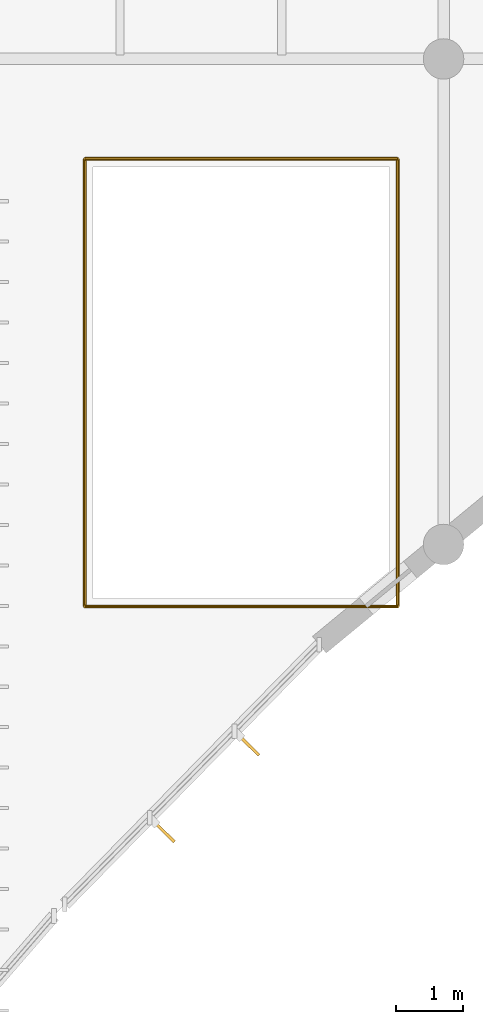
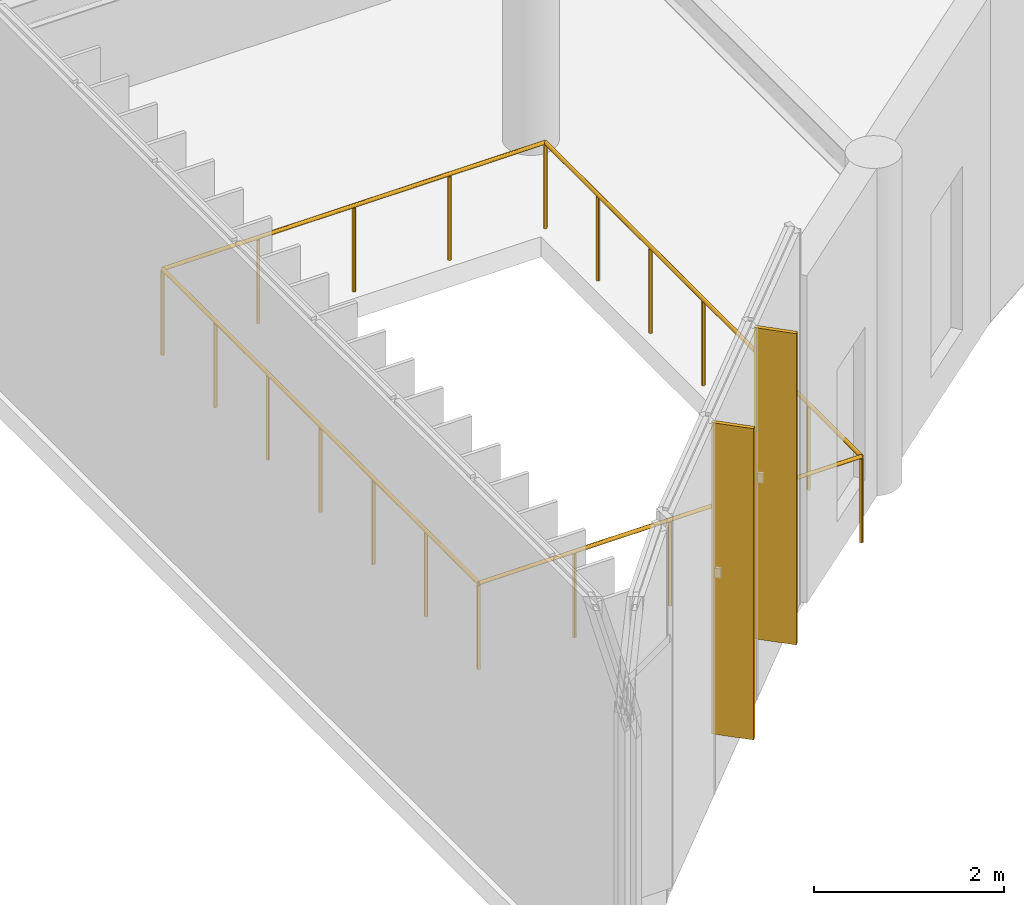
# One storey, part 90 of 104: 4 railings, 2 shading devices.
"""IFC4 building model written with IfcOpenShell, lengths in metres."""

from ifc_helpers import new_model, si_unit, direction, frame, origin, origin_2d, place, context, subcontext, project, spatial, rectangle, circle, extrude, material, layer, layer_set, material_profile, profile_set, type_object, element, save


model = new_model("IFC4")

# Units and contexts
model_context = context("Model", 3, precision=1e-05, world=origin(), true_north=direction((0.0, 1.0)))
body_context = subcontext(model_context, "Body", "Model", "MODEL_VIEW")
ifc_project = project(units=[si_unit("LENGTHUNIT", "METRE"), si_unit("AREAUNIT", "SQUARE_METRE"), si_unit("VOLUMEUNIT", "CUBIC_METRE"), si_unit("PLANEANGLEUNIT", "RADIAN"), si_unit("MASSUNIT", "GRAM", prefix="KILO")], contexts=[model_context])

# Site, building, storey
site_placement = place(None, origin())
site = spatial("IfcSite", under=ifc_project, at=site_placement, CompositionType="ELEMENT")
building_placement = place(site_placement, origin())
building = spatial("IfcBuilding", under=site, at=building_placement, Name="Tazoul Stagehouse", CompositionType="ELEMENT")
storey_placement = place(building_placement, frame((0.0, 0.0, 9.0)))
storey = spatial("IfcBuildingStorey", under=building, at=storey_placement, Name="L02", CompositionType="ELEMENT", Elevation=9.0)

# Shading device
ifc_material_1 = material(Name="Anodised Bronze Aluminium 6063-T6", Category="aluminium")
ifc_layer_1 = layer(ifc_material_1, 0.050048828125, Name="Anodised Bronze Aluminium 6063-T6")
ifc_layer_set_1 = layer_set([ifc_layer_1], Name="Anodised Bronze Aluminium 6063-T6")
shading_device_type_1 = type_object("IfcShadingDeviceType", Name="Angled Acoustic Sun-Screen Blade 460", PredefinedType="USERDEFINED", material=ifc_layer_set_1)
shading_device_1_placement = place(storey_placement, frame((39.0419921875, 4.35205078125, 0.75), z_axis=(0.0, 0.0, 1.0), x_axis=(0.700246698398, 0.713900946479, 0.0)))
element("IfcShadingDevice", 1, at=shading_device_1_placement, inside=storey, type_object=shading_device_type_1, Name="Shading Louvre FIN-02 CW-V5-CRN-L02-C02-SHD01", ObjectType="FIN", PredefinedType="USERDEFINED", context=body_context, shape_type="SweptSolid", body=[
    extrude(rectangle(XDim=0.044921875, YDim=0.4599609375, at=origin_2d()), origin(), (0.0, 0.0, 1.0), 3.989990234375),
])

# Railings
ifc_material_2 = material(Name="Brushed Stainless Steel 316L", Category="steel")
ifc_material_profile = material_profile(ifc_material_2, circle(Radius=0.02392578125, at=origin_2d()), Name="SS RAIL D48")
ifc_profile_set = profile_set([ifc_material_profile], Name="Brushed Stainless Steel 316L")
railing_type = type_object("IfcRailingType", Name="Architectural Guardrail H1120", PredefinedType="GUARDRAIL", material=ifc_profile_set)
railing_1_placement = place(storey_placement, frame((37.8798828125, 7.679931640625, 0.0)))
element("IfcRailing", 2, at=railing_1_placement, inside=storey, type_object=railing_type, Name="L02 Open-Edge Guard GRD-01 (GRD-VOID4-S1)", PredefinedType="GUARDRAIL", context=body_context, shape_type="SweptSolid", body=[
    extrude(circle(Radius=0.02392578125, at=origin_2d()), frame((0.0, 0.0, 1.09619140625), z_axis=(1.0, 0.0, 0.0), x_axis=(0.0, 1.0, 0.0)), (0.0, 0.0, 1.0), 4.64013671875),
    extrude(circle(Radius=0.02099609375, at=origin_2d()), origin(), (0.0, 0.0, 1.0), 1.072021484375),
    extrude(circle(Radius=0.02099609375, at=origin_2d()), frame((1.16015625, 0.0, 0.0)), (0.0, 0.0, 1.0), 1.072021484375),
    extrude(circle(Radius=0.02099609375, at=origin_2d()), frame((2.320068359375, 0.0, 0.0)), (0.0, 0.0, 1.0), 1.072021484375),
    extrude(circle(Radius=0.02099609375, at=origin_2d()), frame((3.47998046875, 0.0, 0.0)), (0.0, 0.0, 1.0), 1.072021484375),
    extrude(circle(Radius=0.02099609375, at=origin_2d()), frame((4.64013671875, 0.0, 0.0)), (0.0, 0.0, 1.0), 1.072021484375),
])
railing_2_placement = place(storey_placement, frame((42.52001953125, 7.679931640625, 0.0)))
element("IfcRailing", 3, at=railing_2_placement, inside=storey, type_object=railing_type, Name="L02 Open-Edge Guard GRD-01 (GRD-VOID4-E1)", PredefinedType="GUARDRAIL", context=body_context, shape_type="SweptSolid", body=[
    extrude(circle(Radius=0.02392578125, at=origin_2d()), frame((0.0, 0.0, 1.09619140625), z_axis=(0.0, 1.0, 0.0), x_axis=(-1.0, 0.0, 0.0)), (0.0, 0.0, 1.0), 6.64013671875),
    extrude(circle(Radius=0.02099609375, at=origin_2d()), origin(), (0.0, 0.0, 1.0), 1.072021484375),
    extrude(circle(Radius=0.02099609375, at=origin_2d()), frame((0.0, 1.106689453125, 0.0)), (0.0, 0.0, 1.0), 1.072021484375),
    extrude(circle(Radius=0.02099609375, at=origin_2d()), frame((0.0, 2.21337890625, 0.0)), (0.0, 0.0, 1.0), 1.072021484375),
    extrude(circle(Radius=0.02099609375, at=origin_2d()), frame((0.0, 3.320068359375, 0.0)), (0.0, 0.0, 1.0), 1.072021484375),
    extrude(circle(Radius=0.02099609375, at=origin_2d()), frame((0.0, 4.4267578125, 0.0)), (0.0, 0.0, 1.0), 1.072021484375),
    extrude(circle(Radius=0.02099609375, at=origin_2d()), frame((0.0, 5.533447265625, 0.0)), (0.0, 0.0, 1.0), 1.072021484375),
    extrude(circle(Radius=0.02099609375, at=origin_2d()), frame((0.0, 6.64013671875, 0.0)), (0.0, 0.0, 1.0), 1.072021484375),
])
railing_3_placement = place(storey_placement, frame((42.52001953125, 14.320068359375, 0.0)))
element("IfcRailing", 4, at=railing_3_placement, inside=storey, type_object=railing_type, Name="L02 Open-Edge Guard GRD-01 (GRD-VOID4-N1)", PredefinedType="GUARDRAIL", context=body_context, shape_type="SweptSolid", body=[
    extrude(circle(Radius=0.02392578125, at=origin_2d()), frame((0.0, 0.0, 1.09619140625), z_axis=(-1.0, 0.0, 0.0), x_axis=(0.0, -1.0, 0.0)), (0.0, 0.0, 1.0), 4.64013671875),
    extrude(circle(Radius=0.02099609375, at=origin_2d()), origin(), (0.0, 0.0, 1.0), 1.072021484375),
    extrude(circle(Radius=0.02099609375, at=origin_2d()), frame((-1.16015625, 0.0, 0.0)), (0.0, 0.0, 1.0), 1.072021484375),
    extrude(circle(Radius=0.02099609375, at=origin_2d()), frame((-2.320068359375, 0.0, 0.0)), (0.0, 0.0, 1.0), 1.072021484375),
    extrude(circle(Radius=0.02099609375, at=origin_2d()), frame((-3.47998046875, 0.0, 0.0)), (0.0, 0.0, 1.0), 1.072021484375),
    extrude(circle(Radius=0.02099609375, at=origin_2d()), frame((-4.64013671875, 0.0, 0.0)), (0.0, 0.0, 1.0), 1.072021484375),
])
railing_4_placement = place(storey_placement, frame((37.8798828125, 14.320068359375, 0.0)))
element("IfcRailing", 5, at=railing_4_placement, inside=storey, type_object=railing_type, Name="L02 Open-Edge Guard GRD-01 (GRD-VOID4-W1)", PredefinedType="GUARDRAIL", context=body_context, shape_type="SweptSolid", body=[
    extrude(circle(Radius=0.02392578125, at=origin_2d()), frame((0.0, 0.0, 1.09619140625), z_axis=(0.0, -1.0, 0.0), x_axis=(1.0, 0.0, 0.0)), (0.0, 0.0, 1.0), 6.64013671875),
    extrude(circle(Radius=0.02099609375, at=origin_2d()), origin(), (0.0, 0.0, 1.0), 1.072021484375),
    extrude(circle(Radius=0.02099609375, at=origin_2d()), frame((0.0, -1.106689453125, 0.0)), (0.0, 0.0, 1.0), 1.072021484375),
    extrude(circle(Radius=0.02099609375, at=origin_2d()), frame((0.0, -2.21337890625, 0.0)), (0.0, 0.0, 1.0), 1.072021484375),
    extrude(circle(Radius=0.02099609375, at=origin_2d()), frame((0.0, -3.320068359375, 0.0)), (0.0, 0.0, 1.0), 1.072021484375),
    extrude(circle(Radius=0.02099609375, at=origin_2d()), frame((0.0, -4.4267578125, 0.0)), (0.0, 0.0, 1.0), 1.072021484375),
    extrude(circle(Radius=0.02099609375, at=origin_2d()), frame((0.0, -5.533447265625, 0.0)), (0.0, 0.0, 1.0), 1.072021484375),
    extrude(circle(Radius=0.02099609375, at=origin_2d()), frame((0.0, -6.64013671875, 0.0)), (0.0, 0.0, 1.0), 1.072021484375),
])

# Shading device
ifc_layer_2 = layer(ifc_material_1, 0.044921875, Name="Anodised Bronze Aluminium 6063-T6")
ifc_layer_set_2 = layer_set([ifc_layer_2], Name="Anodised Bronze Aluminium 6063-T6")
shading_device_type_2 = type_object("IfcShadingDeviceType", Name="Vertical Extruded Terracotta-Bronze Louvre 460", PredefinedType="JALOUSIE", material=ifc_layer_set_2)
shading_device_2_placement = place(storey_placement, frame((40.300048828125, 5.634521484375, 0.75), z_axis=(0.0, 0.0, 1.0), x_axis=(0.700246698398, 0.713900946479, 0.0)))
element("IfcShadingDevice", 6, at=shading_device_2_placement, inside=storey, type_object=shading_device_type_2, Name="Shading Louvre FIN-01 CW-V5-CRN-L02-C02-SHD02", PredefinedType="JALOUSIE", context=body_context, shape_type="SweptSolid", body=[
    extrude(rectangle(XDim=0.044921875, YDim=0.4599609375, at=origin_2d()), origin(), (0.0, 0.0, 1.0), 3.989990234375),
])

save(model, "model.ifc")
